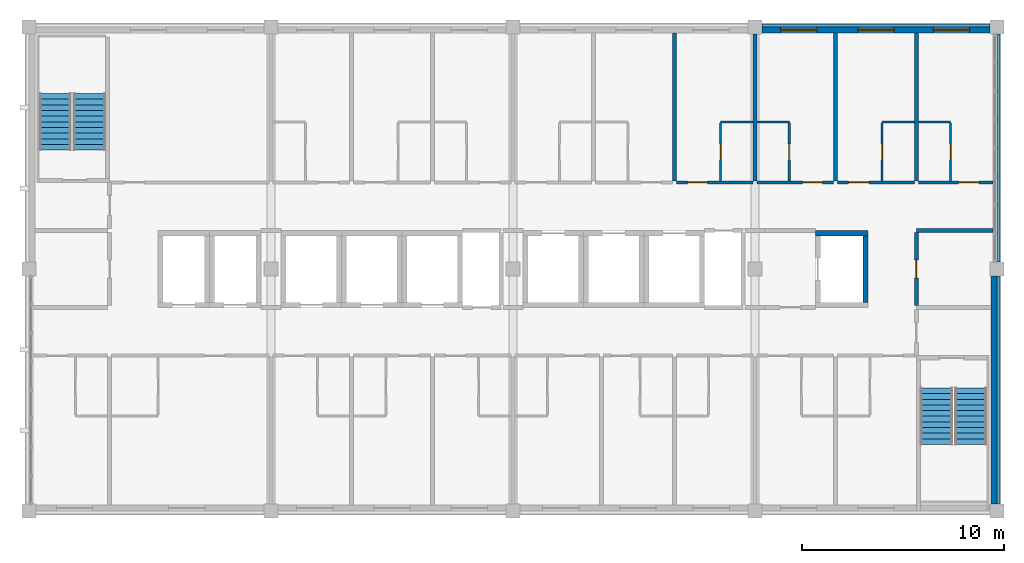
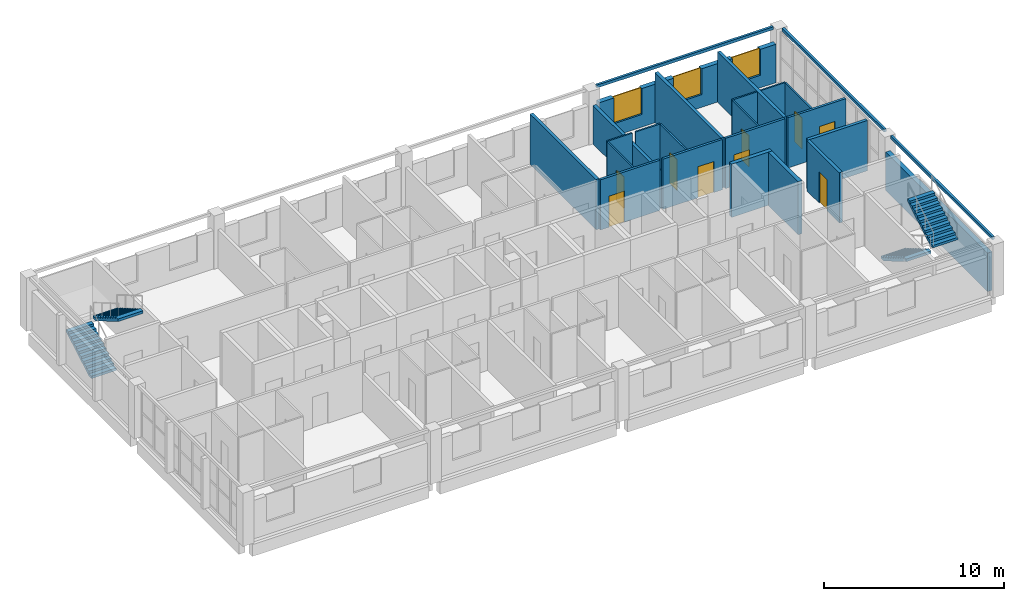
# One storey, part 10 of 11: 25 walls, 9 doors, 4 stair flights, 3 windows, 12 openings, 2 elements without a shape of their own.
"""IFC4 building model written with IfcOpenShell, lengths in metres."""

from ifc_helpers import new_model, si_unit, direction, frame, frame_2d, origin, place, context, subcontext, project, spatial, polyline, rectangle, outline, extrude, material, layer, layer_set, type_object, element, fill, aggregate, save


model = new_model("IFC4")

# Units and contexts
model_context = context("Model", 3, precision=1e-05, world=origin(), true_north=direction((0.0, 1.0)))
body_context = subcontext(model_context, "Body", "Model", "MODEL_VIEW")
ifc_project = project(units=[si_unit("LENGTHUNIT", "METRE"), si_unit("AREAUNIT", "SQUARE_METRE"), si_unit("VOLUMEUNIT", "CUBIC_METRE"), si_unit("PLANEANGLEUNIT", "RADIAN"), si_unit("MASSUNIT", "GRAM", prefix="KILO")], contexts=[model_context])

# Site, building, storey
site_placement = place(None, origin())
site = spatial("IfcSite", under=ifc_project, at=site_placement, CompositionType="ELEMENT")
building_placement = place(site_placement, origin())
building = spatial("IfcBuilding", under=site, at=building_placement, Name="Lilac Gate Convention Centre", CompositionType="ELEMENT")
storey_placement = place(building_placement, frame((0.0, 0.0, 53.39990234375)))
storey = spatial("IfcBuildingStorey", under=building, at=storey_placement, Name="L13", CompositionType="ELEMENT", Elevation=53.39990234375)

# Walls
ifc_material_1 = material(Name="Concrete C40", Category="concrete")
ifc_layer_1 = layer(ifc_material_1, 0.25)
ifc_layer_set_1 = layer_set([ifc_layer_1], Name="Concrete C40")
wall_type_1 = type_object("IfcWallType", Name="Core wall 250 C40", PredefinedType="SHEAR", material=ifc_layer_set_1)
wall_1_placement = place(storey_placement, frame((81.0, 235.77490234375, 0.0), z_axis=(0.0, 0.0, 1.0), x_axis=(1.0, 0.0, 0.0)))
element("IfcWall", 1, at=wall_1_placement, inside=storey, type_object=wall_type_1, Name="CRW5 core wall TC L13 34", PredefinedType="SHEAR", context=body_context, shape_type="SweptSolid", body=[
    extrude(rectangle(XDim=2.60009765625, YDim=0.25, at=frame_2d((1.300048828125, 0.0))), origin(), (0.0, 0.0, 1.0), 3.60009765625),
])
wall_2_placement = place(storey_placement, frame((83.47509765625, 232.35009765625, 0.0), z_axis=(0.0, 0.0, 1.0), x_axis=(0.0, 1.0, 0.0)))
element("IfcWall", 2, at=wall_2_placement, inside=storey, type_object=wall_type_1, Name="CRW5 core wall TC L13 36", PredefinedType="SHEAR", context=body_context, shape_type="SweptSolid", body=[
    extrude(rectangle(XDim=3.2998046875, YDim=0.25, at=frame_2d((1.64990234375, 0.0))), origin(), (0.0, 0.0, 1.0), 3.60009765625),
])

# Wall, opening, door
ifc_material_2 = material(Name="Gypsum board on steel stud", Category="steel")
ifc_layer_2 = layer(ifc_material_2, 0.14990234375)
ifc_layer_set_2 = layer_set([ifc_layer_2], Name="Gypsum board on steel stud")
wall_type_2 = type_object("IfcWallType", Name="Corridor wall 150", PredefinedType="PARTITIONING", material=ifc_layer_set_2)
wall_3_placement = place(storey_placement, frame((74.10009765625, 238.300048828125, 0.0), z_axis=(0.0, 0.0, 1.0), x_axis=(1.0, 0.0, 0.0)))
wall_3 = element("IfcWall", 3, at=wall_3_placement, inside=storey, type_object=wall_type_2, Name="Corridor wall 150 front 1317", PredefinedType="PARTITIONING", context=body_context, shape_type="SweptSolid", body=[
    extrude(rectangle(XDim=3.7998046875, YDim=0.14990234375, at=frame_2d((1.89990234375, 0.0))), origin(), (0.0, 0.0, 1.0), 3.400146484375),
])
opening_1_placement = place(wall_3_placement, frame((0.550048828125, 0.0, 0.0)))
opening_1 = element("IfcOpeningElement", 4, at=opening_1_placement, cuts=wall_3, Name="Opening T13-039", PredefinedType="OPENING", context=body_context, shape_type="SweptSolid", body=[
    extrude(rectangle(XDim=1.0, YDim=2.10009765625, at=frame_2d((0.5, 1.050048828125))), frame((0.0, 0.0849609375, 0.0), z_axis=(0.0, -1.0, 0.0), x_axis=(1.0, 0.0, 0.0)), (0.0, 0.0, 1.0), 0.169921875),
])
ifc_material_3 = material(Name="Timber", Category="wood")
door_type_1 = type_object("IfcDoorType", Name="Guest room entrance door 1000", OperationType="SINGLE_SWING_LEFT", PredefinedType="DOOR", material=ifc_material_3)
door_1_placement = place(opening_1_placement, origin())
door_1 = element("IfcDoor", 5, at=door_1_placement, inside=storey, type_object=door_type_1, Name="Guest room door 1317", OperationType="SINGLE_SWING_LEFT", OverallHeight=2.10009765625, OverallWidth=1.0, PredefinedType="DOOR", context=body_context, shape_type="SweptSolid", body=[
    extrude(rectangle(XDim=1.0, YDim=2.10009765625, at=frame_2d((0.5, 1.050048828125))), frame((0.0, 0.02490234375, 0.0), z_axis=(0.0, -1.0, 0.0), x_axis=(1.0, 0.0, 0.0)), (0.0, 0.0, 1.0), 0.050048828125),
])
fill(opening_1, door_1)

wall_4_placement = place(storey_placement, frame((78.10009765625, 238.300048828125, 0.0), z_axis=(0.0, 0.0, 1.0), x_axis=(1.0, 0.0, 0.0)))
wall_4 = element("IfcWall", 6, at=wall_4_placement, inside=storey, type_object=wall_type_2, Name="Corridor wall 150 front 1318", PredefinedType="PARTITIONING", context=body_context, shape_type="SweptSolid", body=[
    extrude(rectangle(XDim=3.7998046875, YDim=0.14990234375, at=frame_2d((1.89990234375, 0.0))), origin(), (0.0, 0.0, 1.0), 3.400146484375),
])
opening_2_placement = place(wall_4_placement, frame((2.25, 0.0, 0.0)))
opening_2 = element("IfcOpeningElement", 7, at=opening_2_placement, cuts=wall_4, Name="Opening T13-041", PredefinedType="OPENING", context=body_context, shape_type="SweptSolid", body=[
    extrude(rectangle(XDim=1.0, YDim=2.10009765625, at=frame_2d((0.5, 1.050048828125))), frame((0.0, 0.0849609375, 0.0), z_axis=(0.0, -1.0, 0.0), x_axis=(1.0, 0.0, 0.0)), (0.0, 0.0, 1.0), 0.169921875),
])
door_2_placement = place(opening_2_placement, origin())
door_2 = element("IfcDoor", 8, at=door_2_placement, inside=storey, type_object=door_type_1, Name="Guest room door 1318", OperationType="SINGLE_SWING_LEFT", OverallHeight=2.10009765625, OverallWidth=1.0, PredefinedType="DOOR", context=body_context, shape_type="SweptSolid", body=[
    extrude(rectangle(XDim=1.0, YDim=2.10009765625, at=frame_2d((0.5, 1.050048828125))), frame((0.0, 0.02490234375, 0.0), z_axis=(0.0, -1.0, 0.0), x_axis=(1.0, 0.0, 0.0)), (0.0, 0.0, 1.0), 0.050048828125),
])
fill(opening_2, door_2)

wall_5_placement = place(storey_placement, frame((82.10009765625, 238.300048828125, 0.0), z_axis=(0.0, 0.0, 1.0), x_axis=(1.0, 0.0, 0.0)))
wall_5 = element("IfcWall", 9, at=wall_5_placement, inside=storey, type_object=wall_type_2, Name="Corridor wall 150 front 1319", PredefinedType="PARTITIONING", context=body_context, shape_type="SweptSolid", body=[
    extrude(rectangle(XDim=3.7998046875, YDim=0.14990234375, at=frame_2d((1.89990234375, 0.0))), origin(), (0.0, 0.0, 1.0), 3.400146484375),
])
opening_3_placement = place(wall_5_placement, frame((0.550048828125, 0.0, 0.0)))
opening_3 = element("IfcOpeningElement", 10, at=opening_3_placement, cuts=wall_5, Name="Opening T13-043", PredefinedType="OPENING", context=body_context, shape_type="SweptSolid", body=[
    extrude(rectangle(XDim=1.0, YDim=2.10009765625, at=frame_2d((0.5, 1.050048828125))), frame((0.0, 0.0849609375, 0.0), z_axis=(0.0, -1.0, 0.0), x_axis=(1.0, 0.0, 0.0)), (0.0, 0.0, 1.0), 0.169921875),
])
door_3_placement = place(opening_3_placement, origin())
door_3 = element("IfcDoor", 11, at=door_3_placement, inside=storey, type_object=door_type_1, Name="Guest room door 1319", OperationType="SINGLE_SWING_LEFT", OverallHeight=2.10009765625, OverallWidth=1.0, PredefinedType="DOOR", context=body_context, shape_type="SweptSolid", body=[
    extrude(rectangle(XDim=1.0, YDim=2.10009765625, at=frame_2d((0.5, 1.050048828125))), frame((0.0, 0.02490234375, 0.0), z_axis=(0.0, -1.0, 0.0), x_axis=(1.0, 0.0, 0.0)), (0.0, 0.0, 1.0), 0.050048828125),
])
fill(opening_3, door_3)

wall_6_placement = place(storey_placement, frame((86.10009765625, 238.300048828125, 0.0), z_axis=(0.0, 0.0, 1.0), x_axis=(1.0, 0.0, 0.0)))
wall_6 = element("IfcWall", 12, at=wall_6_placement, inside=storey, type_object=wall_type_2, Name="Corridor wall 150 front 1320", PredefinedType="PARTITIONING", context=body_context, shape_type="SweptSolid", body=[
    extrude(rectangle(XDim=3.69970703125, YDim=0.14990234375, at=frame_2d((1.849853515625, 0.0))), origin(), (0.0, 0.0, 1.0), 3.400146484375),
])
opening_4_placement = place(wall_6_placement, frame((2.0, 0.0, 0.0)))
opening_4 = element("IfcOpeningElement", 13, at=opening_4_placement, cuts=wall_6, Name="Opening T13-045", PredefinedType="OPENING", context=body_context, shape_type="SweptSolid", body=[
    extrude(rectangle(XDim=1.0, YDim=2.10009765625, at=frame_2d((0.5, 1.050048828125))), frame((0.0, 0.0849609375, 0.0), z_axis=(0.0, -1.0, 0.0), x_axis=(1.0, 0.0, 0.0)), (0.0, 0.0, 1.0), 0.169921875),
])
door_4_placement = place(opening_4_placement, origin())
door_4 = element("IfcDoor", 14, at=door_4_placement, inside=storey, type_object=door_type_1, Name="Guest room door 1320", OperationType="SINGLE_SWING_LEFT", OverallHeight=2.10009765625, OverallWidth=1.0, PredefinedType="DOOR", context=body_context, shape_type="SweptSolid", body=[
    extrude(rectangle(XDim=1.0, YDim=2.10009765625, at=frame_2d((0.5, 1.050048828125))), frame((0.0, 0.02490234375, 0.0), z_axis=(0.0, -1.0, 0.0), x_axis=(1.0, 0.0, 0.0)), (0.0, 0.0, 1.0), 0.050048828125),
])
fill(opening_4, door_4)

# Wall
ifc_layer_3 = layer(ifc_material_2, 0.10009765625)
ifc_layer_set_3 = layer_set([ifc_layer_3], Name="Gypsum board on steel stud")
wall_type_3 = type_object("IfcWallType", Name="En-suite wall 100", PredefinedType="PARTITIONING", material=ifc_layer_set_3)
wall_7_placement = place(storey_placement, frame((76.300048828125, 241.300048828125, 0.0), z_axis=(0.0, 0.0, 1.0), x_axis=(1.0, 0.0, 0.0)))
element("IfcWall", 15, at=wall_7_placement, inside=storey, type_object=wall_type_3, Name="En-suite wall 100 bath 1317", PredefinedType="PARTITIONING", context=body_context, shape_type="SweptSolid", body=[
    extrude(rectangle(XDim=1.599853515625, YDim=0.10009765625, at=frame_2d((0.7998046875, 0.0))), origin(), (0.0, 0.0, 1.0), 3.400146484375),
])

# Wall, opening, door
wall_8_placement = place(storey_placement, frame((76.300048828125, 238.375, 0.0), z_axis=(0.0, 0.0, 1.0), x_axis=(0.0, 1.0, 0.0)))
wall_8 = element("IfcWall", 16, at=wall_8_placement, inside=storey, type_object=wall_type_3, Name="En-suite wall 100 bath side 1317", PredefinedType="PARTITIONING", context=body_context, shape_type="SweptSolid", body=[
    extrude(rectangle(XDim=2.875, YDim=0.10009765625, at=frame_2d((1.4375, 0.0))), origin(), (0.0, 0.0, 1.0), 3.400146484375),
])
opening_5_placement = place(wall_8_placement, frame((1.03759765625, 0.0, 0.0)))
opening_5 = element("IfcOpeningElement", 17, at=opening_5_placement, cuts=wall_8, Name="Opening T13-040", PredefinedType="OPENING", context=body_context, shape_type="SweptSolid", body=[
    extrude(rectangle(XDim=0.800048828125, YDim=2.10009765625, at=frame_2d((0.39990234375, 1.050048828125))), frame((0.0, 0.06005859375, 0.0), z_axis=(0.0, -1.0, 0.0), x_axis=(1.0, 0.0, 0.0)), (0.0, 0.0, 1.0), 0.1201171875),
])
door_type_2 = type_object("IfcDoorType", Name="En-suite door 800", OperationType="SINGLE_SWING_LEFT", PredefinedType="DOOR", material=ifc_material_3)
door_5_placement = place(opening_5_placement, origin())
door_5 = element("IfcDoor", 18, at=door_5_placement, inside=storey, type_object=door_type_2, Name="En-suite door 1317", OperationType="SINGLE_SWING_LEFT", OverallHeight=2.10009765625, OverallWidth=0.800048828125, PredefinedType="DOOR", context=body_context, shape_type="SweptSolid", body=[
    extrude(rectangle(XDim=0.800048828125, YDim=2.10009765625, at=frame_2d((0.39990234375, 1.050048828125))), frame((0.0, 0.02490234375, 0.0), z_axis=(0.0, -1.0, 0.0), x_axis=(1.0, 0.0, 0.0)), (0.0, 0.0, 1.0), 0.050048828125),
])
fill(opening_5, door_5)

# Wall
wall_9_placement = place(storey_placement, frame((78.10009765625, 241.300048828125, 0.0), z_axis=(0.0, 0.0, 1.0), x_axis=(1.0, 0.0, 0.0)))
element("IfcWall", 19, at=wall_9_placement, inside=storey, type_object=wall_type_3, Name="En-suite wall 100 bath 1318", PredefinedType="PARTITIONING", context=body_context, shape_type="SweptSolid", body=[
    extrude(rectangle(XDim=1.599853515625, YDim=0.10009765625, at=frame_2d((0.7998046875, 0.0))), origin(), (0.0, 0.0, 1.0), 3.400146484375),
])

# Wall, opening, door
wall_10_placement = place(storey_placement, frame((79.699951171875, 241.25, 0.0), z_axis=(0.0, 0.0, 1.0), x_axis=(0.0, -1.0, 0.0)))
wall_10 = element("IfcWall", 20, at=wall_10_placement, inside=storey, type_object=wall_type_3, Name="En-suite wall 100 bath side 1318", PredefinedType="PARTITIONING", context=body_context, shape_type="SweptSolid", body=[
    extrude(rectangle(XDim=2.875, YDim=0.10009765625, at=frame_2d((1.4375, 0.0))), origin(), (0.0, 0.0, 1.0), 3.400146484375),
])
opening_6_placement = place(wall_10_placement, frame((1.03759765625, 0.0, 0.0)))
opening_6 = element("IfcOpeningElement", 21, at=opening_6_placement, cuts=wall_10, Name="Opening T13-042", PredefinedType="OPENING", context=body_context, shape_type="SweptSolid", body=[
    extrude(rectangle(XDim=0.800048828125, YDim=2.10009765625, at=frame_2d((0.39990234375, 1.050048828125))), frame((0.0, 0.06005859375, 0.0), z_axis=(0.0, -1.0, 0.0), x_axis=(1.0, 0.0, 0.0)), (0.0, 0.0, 1.0), 0.1201171875),
])
door_6_placement = place(opening_6_placement, origin())
door_6 = element("IfcDoor", 22, at=door_6_placement, inside=storey, type_object=door_type_2, Name="En-suite door 1318", OperationType="SINGLE_SWING_RIGHT", OverallHeight=2.10009765625, OverallWidth=0.800048828125, PredefinedType="DOOR", context=body_context, shape_type="SweptSolid", body=[
    extrude(rectangle(XDim=0.800048828125, YDim=2.10009765625, at=frame_2d((0.39990234375, 1.050048828125))), frame((0.0, 0.02490234375, 0.0), z_axis=(0.0, -1.0, 0.0), x_axis=(1.0, 0.0, 0.0)), (0.0, 0.0, 1.0), 0.050048828125),
])
fill(opening_6, door_6)

# Wall
wall_11_placement = place(storey_placement, frame((84.300048828125, 241.300048828125, 0.0), z_axis=(0.0, 0.0, 1.0), x_axis=(1.0, 0.0, 0.0)))
element("IfcWall", 23, at=wall_11_placement, inside=storey, type_object=wall_type_3, Name="En-suite wall 100 bath 1319", PredefinedType="PARTITIONING", context=body_context, shape_type="SweptSolid", body=[
    extrude(rectangle(XDim=1.599853515625, YDim=0.10009765625, at=frame_2d((0.7998046875, 0.0))), origin(), (0.0, 0.0, 1.0), 3.400146484375),
])

# Wall, opening, door
wall_12_placement = place(storey_placement, frame((84.300048828125, 238.375, 0.0), z_axis=(0.0, 0.0, 1.0), x_axis=(0.0, 1.0, 0.0)))
wall_12 = element("IfcWall", 24, at=wall_12_placement, inside=storey, type_object=wall_type_3, Name="En-suite wall 100 bath side 1319", PredefinedType="PARTITIONING", context=body_context, shape_type="SweptSolid", body=[
    extrude(rectangle(XDim=2.875, YDim=0.10009765625, at=frame_2d((1.4375, 0.0))), origin(), (0.0, 0.0, 1.0), 3.400146484375),
])
opening_7_placement = place(wall_12_placement, frame((1.03759765625, 0.0, 0.0)))
opening_7 = element("IfcOpeningElement", 25, at=opening_7_placement, cuts=wall_12, Name="Opening T13-044", PredefinedType="OPENING", context=body_context, shape_type="SweptSolid", body=[
    extrude(rectangle(XDim=0.800048828125, YDim=2.10009765625, at=frame_2d((0.39990234375, 1.050048828125))), frame((0.0, 0.06005859375, 0.0), z_axis=(0.0, -1.0, 0.0), x_axis=(1.0, 0.0, 0.0)), (0.0, 0.0, 1.0), 0.1201171875),
])
door_7_placement = place(opening_7_placement, origin())
door_7 = element("IfcDoor", 26, at=door_7_placement, inside=storey, type_object=door_type_2, Name="En-suite door 1319", OperationType="SINGLE_SWING_LEFT", OverallHeight=2.10009765625, OverallWidth=0.800048828125, PredefinedType="DOOR", context=body_context, shape_type="SweptSolid", body=[
    extrude(rectangle(XDim=0.800048828125, YDim=2.10009765625, at=frame_2d((0.39990234375, 1.050048828125))), frame((0.0, 0.02490234375, 0.0), z_axis=(0.0, -1.0, 0.0), x_axis=(1.0, 0.0, 0.0)), (0.0, 0.0, 1.0), 0.050048828125),
])
fill(opening_7, door_7)

# Wall
wall_13_placement = place(storey_placement, frame((86.10009765625, 241.300048828125, 0.0), z_axis=(0.0, 0.0, 1.0), x_axis=(1.0, 0.0, 0.0)))
element("IfcWall", 27, at=wall_13_placement, inside=storey, type_object=wall_type_3, Name="En-suite wall 100 bath 1320", PredefinedType="PARTITIONING", context=body_context, shape_type="SweptSolid", body=[
    extrude(rectangle(XDim=1.599853515625, YDim=0.10009765625, at=frame_2d((0.7998046875, 0.0))), origin(), (0.0, 0.0, 1.0), 3.400146484375),
])

# Wall, opening, door
wall_14_placement = place(storey_placement, frame((87.699951171875, 241.25, 0.0), z_axis=(0.0, 0.0, 1.0), x_axis=(0.0, -1.0, 0.0)))
wall_14 = element("IfcWall", 28, at=wall_14_placement, inside=storey, type_object=wall_type_3, Name="En-suite wall 100 bath side 1320", PredefinedType="PARTITIONING", context=body_context, shape_type="SweptSolid", body=[
    extrude(rectangle(XDim=2.875, YDim=0.10009765625, at=frame_2d((1.4375, 0.0))), origin(), (0.0, 0.0, 1.0), 3.400146484375),
])
opening_8_placement = place(wall_14_placement, frame((1.03759765625, 0.0, 0.0)))
opening_8 = element("IfcOpeningElement", 29, at=opening_8_placement, cuts=wall_14, Name="Opening T13-046", PredefinedType="OPENING", context=body_context, shape_type="SweptSolid", body=[
    extrude(rectangle(XDim=0.800048828125, YDim=2.10009765625, at=frame_2d((0.39990234375, 1.050048828125))), frame((0.0, 0.06005859375, 0.0), z_axis=(0.0, -1.0, 0.0), x_axis=(1.0, 0.0, 0.0)), (0.0, 0.0, 1.0), 0.1201171875),
])
door_8_placement = place(opening_8_placement, origin())
door_8 = element("IfcDoor", 30, at=door_8_placement, inside=storey, type_object=door_type_2, Name="En-suite door 1320", OperationType="SINGLE_SWING_RIGHT", OverallHeight=2.10009765625, OverallWidth=0.800048828125, PredefinedType="DOOR", context=body_context, shape_type="SweptSolid", body=[
    extrude(rectangle(XDim=0.800048828125, YDim=2.10009765625, at=frame_2d((0.39990234375, 1.050048828125))), frame((0.0, 0.02490234375, 0.0), z_axis=(0.0, -1.0, 0.0), x_axis=(1.0, 0.0, 0.0)), (0.0, 0.0, 1.0), 0.050048828125),
])
fill(opening_8, door_8)

# Walls
ifc_layer_4 = layer(ifc_material_2, 0.199951171875)
ifc_layer_set_4 = layer_set([ifc_layer_4], Name="Gypsum board on steel stud")
wall_type_4 = type_object("IfcWallType", Name="Guest room party wall 200", PredefinedType="PARTITIONING", material=ifc_layer_set_4)
wall_15_placement = place(storey_placement, frame((74.0, 245.7001953125, 0.0), z_axis=(0.0, 0.0, 1.0), x_axis=(0.0, -1.0, 0.0)))
element("IfcWall", 31, at=wall_15_placement, inside=storey, type_object=wall_type_4, Name="Guest room party wall 200 party 74.0", PredefinedType="PARTITIONING", context=body_context, shape_type="SweptSolid", body=[
    extrude(rectangle(XDim=7.3251953125, YDim=0.199951171875, at=frame_2d((3.66259765625, 0.0))), origin(), (0.0, 0.0, 1.0), 3.400146484375),
])
wall_16_placement = place(storey_placement, frame((78.0, 245.64990234375, 0.0), z_axis=(0.0, 0.0, 1.0), x_axis=(0.0, -1.0, 0.0)))
element("IfcWall", 32, at=wall_16_placement, inside=storey, type_object=wall_type_4, Name="Guest room party wall 200 party 78.0", PredefinedType="PARTITIONING", context=body_context, shape_type="SweptSolid", body=[
    extrude(rectangle(XDim=7.27490234375, YDim=0.199951171875, at=frame_2d((3.637451171875, 0.0))), origin(), (0.0, 0.0, 1.0), 2.60009765625),
])
for number, where, z_axis, x_axis, name in (
    (33, (82.0, 245.7001953125, 0.0), (0.0, 0.0, 1.0), (0.0, -1.0, 0.0), "Guest room party wall 200 party 82.0"),
    (34, (86.0, 245.7001953125, 0.0), (0.0, 0.0, 1.0), (0.0, -1.0, 0.0), "Guest room party wall 200 party 86.0"),
):
    element("IfcWall", number, at=place(storey_placement, frame(where, z_axis=z_axis, x_axis=x_axis)), inside=storey, type_object=wall_type_4, Name=name, PredefinedType="PARTITIONING", context=body_context, shape_type="SweptSolid", body=[
        extrude(rectangle(XDim=7.3251953125, YDim=0.199951171875, at=frame_2d((3.66259765625, 0.0))), origin(), (0.0, 0.0, 1.0), 3.400146484375),
    ])
ifc_material_4 = material(Name="Concrete C40 precast", Category="concrete")
ifc_layer_5 = layer(ifc_material_4, 0.1298828125)
ifc_material_5 = material(Name="Ochre mineral render")
ifc_layer_6 = layer(ifc_material_5, 0.02001953125)
ifc_layer_set_5 = layer_set([ifc_layer_5, ifc_layer_6], Name="Concrete C40 precast, Ochre mineral render")
wall_type_5 = type_object("IfcWallType", Name="Precast band ochre 150", PredefinedType="STANDARD", material=ifc_layer_set_5)
for number, where, z_axis, x_axis, name in (
    (35, (90.074951171875, 222.35009765625, 3.400146484375), (0.0, 0.0, 1.0), (0.0, 1.0, 0.0), "Precast band E L13 1"),
    (36, (90.074951171875, 234.35009765625, 3.400146484375), (0.0, 0.0, 1.0), (0.0, 1.0, 0.0), "Precast band E L13 2"),
    (37, (89.64990234375, 246.074951171875, 3.400146484375), (0.0, 0.0, 1.0), (-1.0, 0.0, 0.0), "Precast band N L13 1"),
):
    element("IfcWall", number, at=place(storey_placement, frame(where, z_axis=z_axis, x_axis=x_axis)), inside=storey, type_object=wall_type_5, Name=name, PredefinedType="STANDARD", context=body_context, shape_type="SweptSolid", body=[
        extrude(rectangle(XDim=11.2998046875, YDim=0.14990234375, at=frame_2d((5.64990234375, 0.0))), origin(), (0.0, 0.0, 1.0), 0.199951171875),
    ])
ifc_material_6 = material(Name="Terracotta glazed cladding", Category="masonry")
ifc_layer_7 = layer(ifc_material_6, 0.02001953125)
ifc_layer_8 = layer(ifc_material_4, 0.06005859375)
ifc_material_7 = material(Name="Ventilated air cavity")
ifc_layer_9 = layer(ifc_material_7, 0.030029296875)
ifc_material_8 = material(Name="Mineral wool insulation")
ifc_layer_10 = layer(ifc_material_8, 0.1201171875)
ifc_material_9 = material(Name="Steel stud Q345 and gypsum lining", Category="steel")
ifc_layer_11 = layer(ifc_material_9, 0.070068359375)
ifc_layer_set_6 = layer_set([ifc_layer_7, ifc_layer_8, ifc_layer_9, ifc_layer_10, ifc_layer_11], Name="Terracotta glazed cladding, Concrete C40 precast, Ventilated air cavity, Mineral wool insulation, Steel stud Q345 and gypsum lining")
wall_type_6 = type_object("IfcWallType", Name="Precast panel wall terracotta 300", PredefinedType="STANDARD", material=ifc_layer_set_6)
wall_17_placement = place(storey_placement, frame((89.85009765625, 222.35009765625, 0.0), z_axis=(0.0, 0.0, 1.0), x_axis=(0.0, 1.0, 0.0)))
element("IfcWall", 38, at=wall_17_placement, inside=storey, type_object=wall_type_6, Name="External wall E L13 1", PredefinedType="STANDARD", context=body_context, shape_type="SweptSolid", body=[
    extrude(rectangle(XDim=11.2998046875, YDim=0.300048828125, at=frame_2d((5.64990234375, 0.0))), origin(), (0.0, 0.0, 1.0), 2.60009765625),
])

# Wall, openings, windows
wall_18_placement = place(storey_placement, frame((89.64990234375, 245.85009765625, 0.0), z_axis=(0.0, 0.0, 1.0), x_axis=(-1.0, 0.0, 0.0)))
wall_18 = element("IfcWall", 39, at=wall_18_placement, inside=storey, type_object=wall_type_6, Name="External wall N L13 1", PredefinedType="STANDARD", context=body_context, shape_type="SweptSolid", body=[
    extrude(rectangle(XDim=11.2998046875, YDim=0.300048828125, at=frame_2d((5.64990234375, 0.0))), origin(), (0.0, 0.0, 1.0), 2.60009765625),
])
opening_9_placement = place(wall_18_placement, frame((8.574951171875, 0.0, 0.85009765625)))
opening_9 = element("IfcOpeningElement", 40, at=opening_9_placement, cuts=wall_18, Name="Opening W1", PredefinedType="OPENING", context=body_context, shape_type="SweptSolid", body=[
    extrude(rectangle(XDim=1.800048828125, YDim=1.75, at=frame_2d((0.89990234375, 0.875))), frame((0.0, 0.159912109375, 0.0), z_axis=(0.0, -1.0, 0.0), x_axis=(1.0, 0.0, 0.0)), (0.0, 0.0, 1.0), 0.320068359375),
])
opening_10_placement = place(wall_18_placement, frame((4.75, 0.0, 0.85009765625)))
opening_10 = element("IfcOpeningElement", 41, at=opening_10_placement, cuts=wall_18, Name="Opening W1", PredefinedType="OPENING", context=body_context, shape_type="SweptSolid", body=[
    extrude(rectangle(XDim=1.800048828125, YDim=1.75, at=frame_2d((0.89990234375, 0.875))), frame((0.0, 0.159912109375, 0.0), z_axis=(0.0, -1.0, 0.0), x_axis=(1.0, 0.0, 0.0)), (0.0, 0.0, 1.0), 0.320068359375),
])
opening_11_placement = place(wall_18_placement, frame((1.0, 0.0, 0.85009765625)))
opening_11 = element("IfcOpeningElement", 42, at=opening_11_placement, cuts=wall_18, Name="Opening W1", PredefinedType="OPENING", context=body_context, shape_type="SweptSolid", body=[
    extrude(rectangle(XDim=1.800048828125, YDim=1.75, at=frame_2d((0.89990234375, 0.875))), frame((0.0, 0.159912109375, 0.0), z_axis=(0.0, -1.0, 0.0), x_axis=(1.0, 0.0, 0.0)), (0.0, 0.0, 1.0), 0.320068359375),
])
ifc_material_10 = material(Name="Aluminium framed double glazing", Category="aluminium")
window_type = type_object("IfcWindowType", Name="Guest room window 1800 x 1750", PartitioningType="DOUBLE_PANEL_VERTICAL", PredefinedType="WINDOW", material=ifc_material_10)
window_1_placement = place(opening_9_placement, origin())
window_1 = element("IfcWindow", 43, at=window_1_placement, inside=storey, type_object=window_type, Name="Window Guest N L13", OverallHeight=1.75, OverallWidth=1.800048828125, PartitioningType="SINGLE_PANEL", PredefinedType="WINDOW", context=body_context, shape_type="SweptSolid", body=[
    extrude(rectangle(XDim=1.800048828125, YDim=1.75, at=frame_2d((0.89990234375, 0.875))), frame((0.0, 0.030029296875, 0.0), z_axis=(0.0, -1.0, 0.0), x_axis=(1.0, 0.0, 0.0)), (0.0, 0.0, 1.0), 0.06005859375),
])
fill(opening_9, window_1)
window_2_placement = place(opening_10_placement, origin())
window_2 = element("IfcWindow", 44, at=window_2_placement, inside=storey, type_object=window_type, Name="Window Guest N L13", OverallHeight=1.75, OverallWidth=1.800048828125, PartitioningType="SINGLE_PANEL", PredefinedType="WINDOW", context=body_context, shape_type="SweptSolid", body=[
    extrude(rectangle(XDim=1.800048828125, YDim=1.75, at=frame_2d((0.89990234375, 0.875))), frame((0.0, 0.030029296875, 0.0), z_axis=(0.0, -1.0, 0.0), x_axis=(1.0, 0.0, 0.0)), (0.0, 0.0, 1.0), 0.06005859375),
])
fill(opening_10, window_2)
window_3_placement = place(opening_11_placement, origin())
window_3 = element("IfcWindow", 45, at=window_3_placement, inside=storey, type_object=window_type, Name="Window Guest N L13", OverallHeight=1.75, OverallWidth=1.800048828125, PartitioningType="SINGLE_PANEL", PredefinedType="WINDOW", context=body_context, shape_type="SweptSolid", body=[
    extrude(rectangle(XDim=1.800048828125, YDim=1.75, at=frame_2d((0.89990234375, 0.875))), frame((0.0, 0.030029296875, 0.0), z_axis=(0.0, -1.0, 0.0), x_axis=(1.0, 0.0, 0.0)), (0.0, 0.0, 1.0), 0.06005859375),
])
fill(opening_11, window_3)

# Wall
ifc_layer_12 = layer(ifc_material_2, 0.199951171875)
ifc_layer_set_7 = layer_set([ifc_layer_12], Name="Gypsum board on steel stud")
wall_type_7 = type_object("IfcWallType", Name="Riser and store wall 200", PredefinedType="PARTITIONING", material=ifc_layer_set_7)
wall_19_placement = place(storey_placement, frame((86.0, 235.89990234375, 0.0), z_axis=(0.0, 0.0, 1.0), x_axis=(1.0, 0.0, 0.0)))
element("IfcWall", 46, at=wall_19_placement, inside=storey, type_object=wall_type_7, Name="Riser and store wall 200 STE-N", PredefinedType="PARTITIONING", context=body_context, shape_type="SweptSolid", body=[
    extrude(rectangle(XDim=3.7998046875, YDim=0.199951171875, at=frame_2d((1.89990234375, 0.0))), origin(), (0.0, 0.0, 1.0), 3.400146484375),
])

# Wall, opening, door
wall_20_placement = place(storey_placement, frame((86.0, 235.800048828125, 0.0), z_axis=(0.0, 0.0, 1.0), x_axis=(0.0, -1.0, 0.0)))
wall_20 = element("IfcWall", 47, at=wall_20_placement, inside=storey, type_object=wall_type_7, Name="Riser and store wall 200 STE-W", PredefinedType="PARTITIONING", context=body_context, shape_type="SweptSolid", body=[
    extrude(rectangle(XDim=3.60009765625, YDim=0.199951171875, at=frame_2d((1.800048828125, 0.0))), origin(), (0.0, 0.0, 1.0), 3.400146484375),
])
opening_12_placement = place(wall_20_placement, frame((1.35009765625, 0.0, 0.0)))
opening_12 = element("IfcOpeningElement", 48, at=opening_12_placement, cuts=wall_20, Name="Opening T13-005", PredefinedType="OPENING", context=body_context, shape_type="SweptSolid", body=[
    extrude(rectangle(XDim=0.89990234375, YDim=2.10009765625, at=frame_2d((0.449951171875, 1.050048828125))), frame((0.0, 0.10986328125, 0.0), z_axis=(0.0, -1.0, 0.0), x_axis=(1.0, 0.0, 0.0)), (0.0, 0.0, 1.0), 0.219970703125),
])
ifc_material_11 = material(Name="Steel Q235B", Category="steel")
door_type_3 = type_object("IfcDoorType", Name="Riser and store door 900", OperationType="SINGLE_SWING_LEFT", PredefinedType="DOOR", material=ifc_material_11)
door_9_placement = place(opening_12_placement, origin())
door_9 = element("IfcDoor", 49, at=door_9_placement, inside=storey, type_object=door_type_3, Name="Linen store door", OperationType="SINGLE_SWING_LEFT", OverallHeight=2.10009765625, OverallWidth=0.89990234375, PredefinedType="DOOR", context=body_context, shape_type="SweptSolid", body=[
    extrude(rectangle(XDim=0.89990234375, YDim=2.10009765625, at=frame_2d((0.449951171875, 1.050048828125))), frame((0.0, 0.02490234375, 0.0), z_axis=(0.0, -1.0, 0.0), x_axis=(1.0, 0.0, 0.0)), (0.0, 0.0, 1.0), 0.050048828125),
])
fill(opening_12, door_9)

# Stair, stair flights
stair_type = type_object("IfcStairType", Name="Exit stair", PredefinedType="DOUBLE_RETURN_STAIR", material=ifc_material_1)
stair_1_placement = place(storey_placement, origin())
stair_1 = element("IfcStair", 50, at=stair_1_placement, inside=storey, type_object=stair_type, Name="Exit stair NW L13", PredefinedType="DOUBLE_RETURN_STAIR")
stair_flight_type = type_object("IfcStairFlightType", Name="Exit stair flight", PredefinedType="STRAIGHT", material=ifc_material_1)
stair_flight_1_placement = place(storey_placement, frame((43.300048828125, 239.89990234375, 0.0), z_axis=(0.0, 0.0, 1.0), x_axis=(0.0, 1.0, 0.0)))
stair_flight_1 = element("IfcStairFlight", 51, at=stair_flight_1_placement, type_object=stair_flight_type, Name="ST-NW flight 1", NumberOfRisers=11, NumberOfTreads=10, PredefinedType="STRAIGHT", RiserHeight=0.163636364, TreadLength=0.28, context=body_context, shape_type="SweptSolid", body=[
    extrude(outline(polyline([(0.0, 0.0), (0.0, 0.16357421875), (0.280029296875, 0.16357421875), (0.280029296875, 0.327392578125), (0.56005859375, 0.327392578125), (0.56005859375, 0.490966796875), (0.840087890625, 0.490966796875), (0.840087890625, 0.654541015625), (1.1201171875, 0.654541015625), (1.1201171875, 0.818115234375), (1.39990234375, 0.818115234375), (1.39990234375, 0.98193359375), (1.679931640625, 0.98193359375), (1.679931640625, 1.1455078125), (1.9599609375, 1.1455078125), (1.9599609375, 1.30908203125), (2.239990234375, 1.30908203125), (2.239990234375, 1.47265625), (2.52001953125, 1.47265625), (2.52001953125, 1.636474609375), (2.800048828125, 1.636474609375), (2.800048828125, 1.800048828125), (2.800048828125, 1.462646484375), (0.297119140625, 0.0), (0.0, 0.0)])), frame((0.0, 0.800048828125, 0.0), z_axis=(0.0, -1.0, 0.0), x_axis=(1.0, 0.0, 0.0)), (0.0, 0.0, 1.0), 1.60009765625),
])
stair_flight_2_placement = place(storey_placement, frame((45.0, 242.699951171875, 1.800048828125), z_axis=(0.0, 0.0, 1.0), x_axis=(0.0, -1.0, 0.0)))
stair_flight_2 = element("IfcStairFlight", 52, at=stair_flight_2_placement, type_object=stair_flight_type, Name="ST-NW flight 2", NumberOfRisers=11, NumberOfTreads=10, PredefinedType="STRAIGHT", RiserHeight=0.163636364, TreadLength=0.28, context=body_context, shape_type="SweptSolid", body=[
    extrude(outline(polyline([(0.0, 0.0), (0.0, 0.16357421875), (0.280029296875, 0.16357421875), (0.280029296875, 0.327392578125), (0.56005859375, 0.327392578125), (0.56005859375, 0.490966796875), (0.840087890625, 0.490966796875), (0.840087890625, 0.654541015625), (1.1201171875, 0.654541015625), (1.1201171875, 0.818115234375), (1.39990234375, 0.818115234375), (1.39990234375, 0.98193359375), (1.679931640625, 0.98193359375), (1.679931640625, 1.1455078125), (1.9599609375, 1.1455078125), (1.9599609375, 1.30908203125), (2.239990234375, 1.30908203125), (2.239990234375, 1.47265625), (2.52001953125, 1.47265625), (2.52001953125, 1.636474609375), (2.800048828125, 1.636474609375), (2.800048828125, 1.800048828125), (2.800048828125, 1.462646484375), (0.297119140625, 0.0), (0.0, 0.0)])), frame((0.0, 0.800048828125, 0.0), z_axis=(0.0, -1.0, 0.0), x_axis=(1.0, 0.0, 0.0)), (0.0, 0.0, 1.0), 1.60009765625),
])
aggregate(stair_1, [stair_flight_1, stair_flight_2])

stair_2_placement = place(storey_placement, origin())
stair_2 = element("IfcStair", 53, at=stair_2_placement, inside=storey, type_object=stair_type, Name="Exit stair SE L13", PredefinedType="DOUBLE_RETURN_STAIR")
stair_flight_3_placement = place(storey_placement, frame((87.0, 228.10009765625, 0.0), z_axis=(0.0, 0.0, 1.0), x_axis=(0.0, -1.0, 0.0)))
stair_flight_3 = element("IfcStairFlight", 54, at=stair_flight_3_placement, type_object=stair_flight_type, Name="ST-SE flight 1", NumberOfRisers=11, NumberOfTreads=10, PredefinedType="STRAIGHT", RiserHeight=0.163636364, TreadLength=0.28, context=body_context, shape_type="SweptSolid", body=[
    extrude(outline(polyline([(0.0, 0.0), (0.0, 0.16357421875), (0.280029296875, 0.16357421875), (0.280029296875, 0.327392578125), (0.56005859375, 0.327392578125), (0.56005859375, 0.490966796875), (0.840087890625, 0.490966796875), (0.840087890625, 0.654541015625), (1.1201171875, 0.654541015625), (1.1201171875, 0.818115234375), (1.39990234375, 0.818115234375), (1.39990234375, 0.98193359375), (1.679931640625, 0.98193359375), (1.679931640625, 1.1455078125), (1.9599609375, 1.1455078125), (1.9599609375, 1.30908203125), (2.239990234375, 1.30908203125), (2.239990234375, 1.47265625), (2.52001953125, 1.47265625), (2.52001953125, 1.636474609375), (2.800048828125, 1.636474609375), (2.800048828125, 1.800048828125), (2.800048828125, 1.462646484375), (0.297119140625, 0.0), (0.0, 0.0)])), frame((0.0, 0.800048828125, 0.0), z_axis=(0.0, -1.0, 0.0), x_axis=(1.0, 0.0, 0.0)), (0.0, 0.0, 1.0), 1.60009765625),
])
stair_flight_4_placement = place(storey_placement, frame((88.699951171875, 225.300048828125, 1.800048828125), z_axis=(0.0, 0.0, 1.0), x_axis=(0.0, 1.0, 0.0)))
stair_flight_4 = element("IfcStairFlight", 55, at=stair_flight_4_placement, type_object=stair_flight_type, Name="ST-SE flight 2", NumberOfRisers=11, NumberOfTreads=10, PredefinedType="STRAIGHT", RiserHeight=0.163636364, TreadLength=0.28, context=body_context, shape_type="SweptSolid", body=[
    extrude(outline(polyline([(0.0, 0.0), (0.0, 0.16357421875), (0.280029296875, 0.16357421875), (0.280029296875, 0.327392578125), (0.56005859375, 0.327392578125), (0.56005859375, 0.490966796875), (0.840087890625, 0.490966796875), (0.840087890625, 0.654541015625), (1.1201171875, 0.654541015625), (1.1201171875, 0.818115234375), (1.39990234375, 0.818115234375), (1.39990234375, 0.98193359375), (1.679931640625, 0.98193359375), (1.679931640625, 1.1455078125), (1.9599609375, 1.1455078125), (1.9599609375, 1.30908203125), (2.239990234375, 1.30908203125), (2.239990234375, 1.47265625), (2.52001953125, 1.47265625), (2.52001953125, 1.636474609375), (2.800048828125, 1.636474609375), (2.800048828125, 1.800048828125), (2.800048828125, 1.462646484375), (0.297119140625, 0.0), (0.0, 0.0)])), frame((0.0, 0.800048828125, 0.0), z_axis=(0.0, -1.0, 0.0), x_axis=(1.0, 0.0, 0.0)), (0.0, 0.0, 1.0), 1.60009765625),
])
aggregate(stair_2, [stair_flight_3, stair_flight_4])

save(model, "model.ifc")
